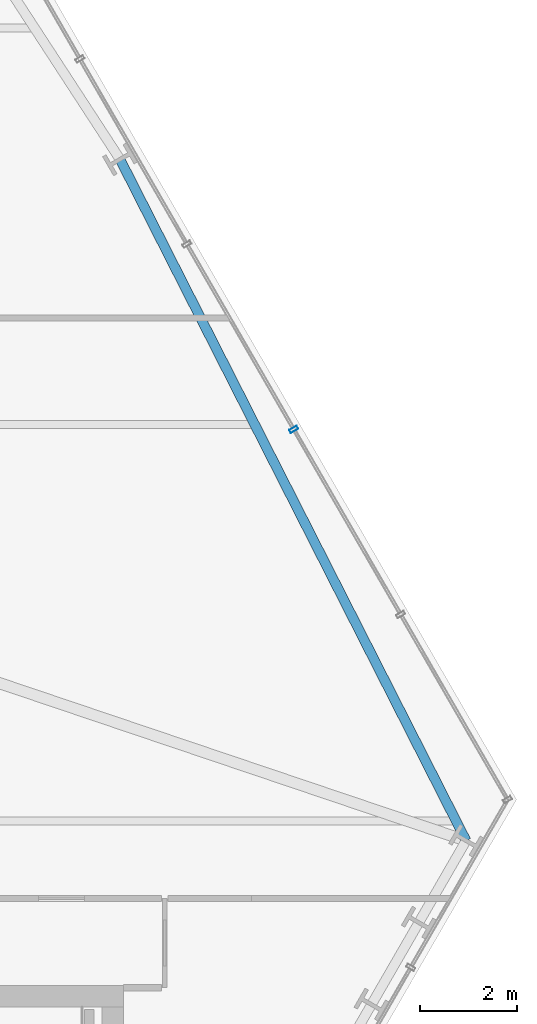
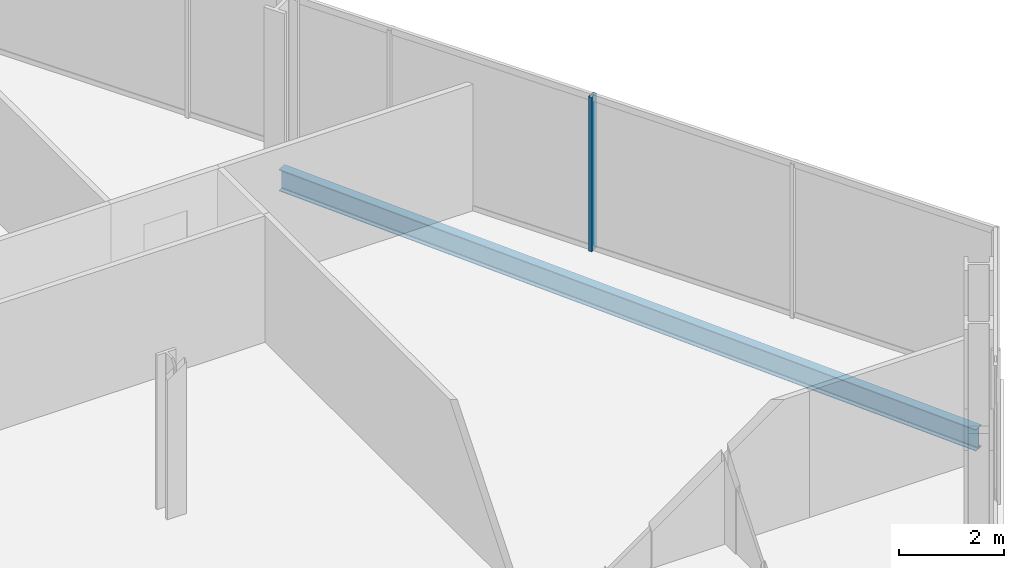
# One storey, part 17 of 32: 1 beam, 1 member, 1 element without a shape of its own.
"""IFC4 building model written with IfcOpenShell, lengths in metres."""

from ifc_helpers import new_model, si_unit, direction, frame, origin, origin_2d, place, context, subcontext, project, spatial, hollow_rectangle, i_section, extrude, material, layer, layer_set, material_profile, profile_set, type_object, element, aggregate, save


model = new_model("IFC4")

# Units and contexts
model_context = context("Model", 3, precision=1e-05, world=origin(), true_north=direction((0.0, 1.0)))
body_context = subcontext(model_context, "Body", "Model", "MODEL_VIEW")
ifc_project = project(units=[si_unit("LENGTHUNIT", "METRE"), si_unit("AREAUNIT", "SQUARE_METRE"), si_unit("VOLUMEUNIT", "CUBIC_METRE"), si_unit("PLANEANGLEUNIT", "RADIAN"), si_unit("MASSUNIT", "GRAM", prefix="KILO")], contexts=[model_context])

# Site, building, storey
site_placement = place(None, origin())
site = spatial("IfcSite", under=ifc_project, at=site_placement, CompositionType="ELEMENT")
building_placement = place(site_placement, origin())
building = spatial("IfcBuilding", under=site, at=building_placement, Name="Ndaravel Arena Tower", CompositionType="ELEMENT")
storey_placement = place(building_placement, frame((0.0, 0.0, 51.199951171875)))
storey = spatial("IfcBuildingStorey", under=building, at=storey_placement, Name="L10", CompositionType="ELEMENT", Elevation=51.199951171875)

# Beam
ifc_material_1 = material(Name="Steel S355", Category="steel")
ifc_material_profile_1 = material_profile(ifc_material_1, i_section(OverallWidth=0.199951171875, OverallDepth=0.5, WebThickness=0.01025390625, FlangeThickness=0.01611328125, FilletRadius=0.02099609375, at=origin_2d()), Name="IPE 500")
ifc_profile_set_1 = profile_set([ifc_material_profile_1], Name="Steel S355")
beam_type = type_object("IfcBeamType", Name="BM-SPAN-IPE500", PredefinedType="SPANDREL", material=ifc_profile_set_1)
beam_placement = place(storey_placement, frame((64.634521484375, 18.19189453125, -0.469970703125), z_axis=(-0.452845189288, 0.891589162416, 0.0), x_axis=(-0.891589162416, -0.452845189288, 0.0)))
element("IfcBeam", 1, at=beam_placement, inside=storey, type_object=beam_type, Name="L10 Perimeter Spandrel Beam SP-09", PredefinedType="SPANDREL", context=body_context, shape_type="SweptSolid", body=[
    extrude(i_section(OverallWidth=0.199951171875, OverallDepth=0.5, WebThickness=0.01025390625, FlangeThickness=0.01611328125, FilletRadius=0.02099609375, at=origin_2d()), origin(), (0.0, 0.0, 1.0), 15.80712890625),
])

# Curtain wall, member
ifc_material_2 = material(Name="Aluminium", Category="aluminium")
ifc_layer = layer(ifc_material_2, 0.179931640625)
ifc_layer_set = layer_set([ifc_layer], Name="Aluminium")
curtain_wall_type = type_object("IfcCurtainWallType", Name="CW-SYS-03", PredefinedType="NOTDEFINED", material=ifc_layer_set)
curtain_wall_placement = place(storey_placement, origin())
curtain_wall = element("IfcCurtainWall", 2, at=curtain_wall_placement, inside=storey, type_object=curtain_wall_type, Name="L10 Faceted Crystal Curtain Wall CW-L10-E03", PredefinedType="NOTDEFINED")
ifc_material_3 = material(Name="Aluminium", Category="aluminium")
ifc_material_profile_2 = material_profile(ifc_material_3, hollow_rectangle(XDim=0.074951171875, YDim=0.179931640625, WallThickness=0.00390625, at=origin_2d()), Name="CW MULLION 75x180x4")
ifc_profile_set_2 = profile_set([ifc_material_profile_2], Name="Aluminium")
member_type = type_object("IfcMemberType", Name="MEM-CW-MUL180", PredefinedType="MULLION", material=ifc_profile_set_2)
member_placement = place(storey_placement, frame((61.0703125, 26.699951171875, 0.0), z_axis=(0.0, 0.0, 1.0), x_axis=(-0.5, 0.866025403784, 0.0)))
member = element("IfcMember", 3, at=member_placement, type_object=member_type, Name="CW-L10-E03 Mullion 02", PredefinedType="MULLION", context=body_context, shape_type="SweptSolid", body=[
    extrude(hollow_rectangle(XDim=0.074951171875, YDim=0.179931640625, WallThickness=0.00390625, at=origin_2d()), origin(), (0.0, 0.0, 1.0), 3.580078125),
])
aggregate(curtain_wall, [member])

save(model, "model.ifc")
